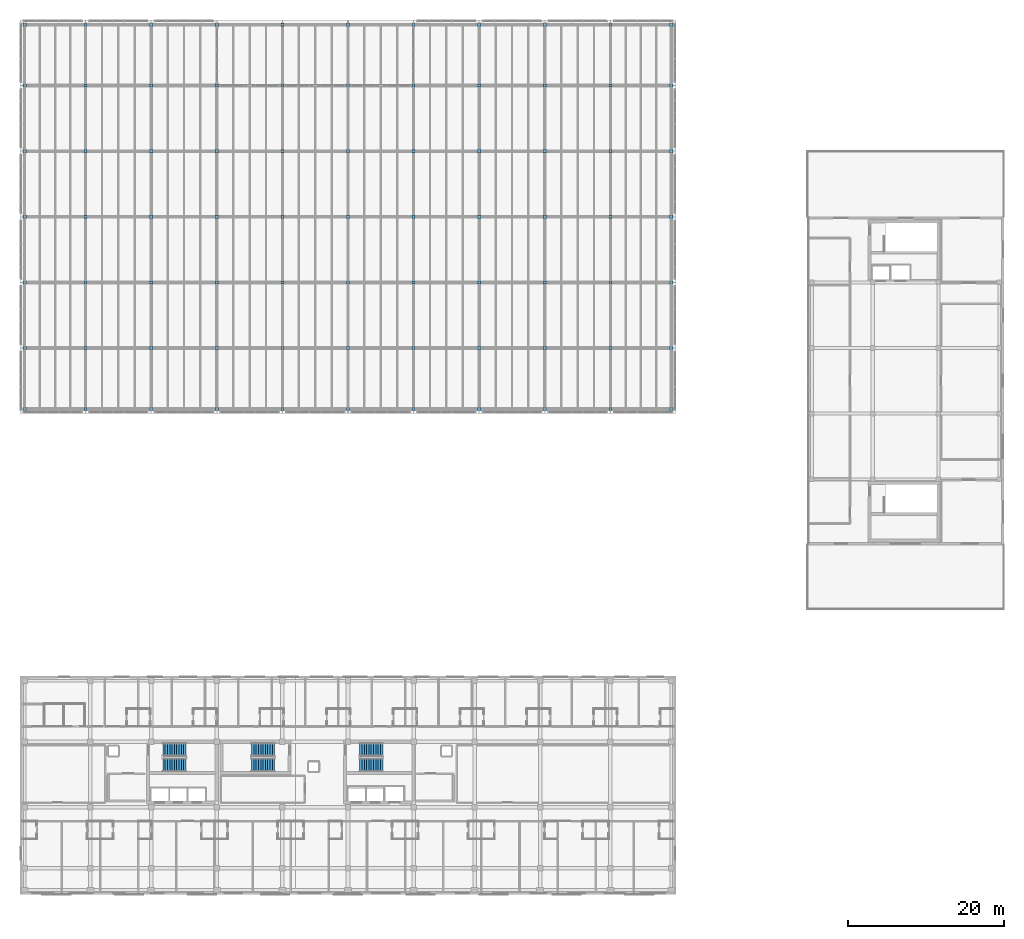
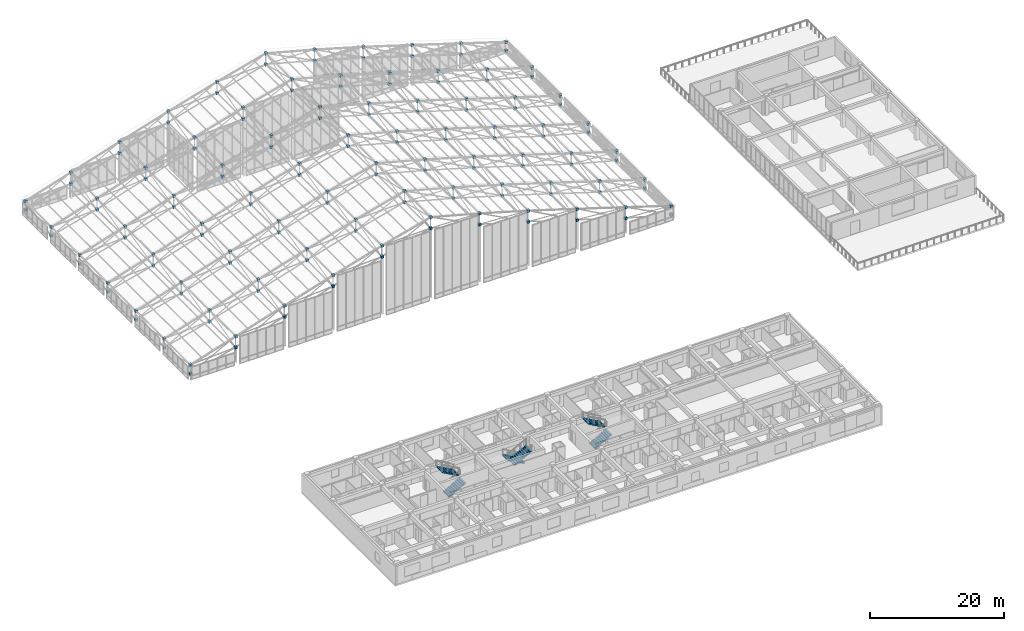
# One storey, part 141 of 144: 154 discrete accessories, 6 stair flights, 3 elements without a shape of their own.
"""IFC4 building model written with IfcOpenShell, lengths in metres."""

from ifc_helpers import new_model, si_unit, direction, frame, origin, origin_2d, place, context, subcontext, project, spatial, polyline, rectangle, outline, extrude, material, type_object, element, aggregate, save


model = new_model("IFC4")

# Units and contexts
model_context = context("Model", 3, precision=1e-05, world=origin(), true_north=direction((0.0, 1.0)))
body_context = subcontext(model_context, "Body", "Model", "MODEL_VIEW")
ifc_project = project(units=[si_unit("LENGTHUNIT", "METRE"), si_unit("AREAUNIT", "SQUARE_METRE"), si_unit("VOLUMEUNIT", "CUBIC_METRE"), si_unit("PLANEANGLEUNIT", "RADIAN"), si_unit("MASSUNIT", "GRAM", prefix="KILO")], contexts=[model_context])

# Site, building, storey
site_placement = place(None, origin())
site = spatial("IfcSite", under=ifc_project, at=site_placement, CompositionType="ELEMENT")
building_placement = place(site_placement, origin())
building = spatial("IfcBuilding", under=site, at=building_placement, Name="Zayran Congress Hotel", CompositionType="ELEMENT")
storey_placement = place(building_placement, frame((0.0, 0.0, 19.199951171875)))
storey = spatial("IfcBuildingStorey", under=building, at=storey_placement, Name="L04", CompositionType="ELEMENT", Elevation=19.199951171875)

# Stair, stair flights
ifc_material_1 = material(Name="Concrete C32/40", Category="concrete")
stair_type = type_object("IfcStairType", Name="TP-STR-1700-36", PredefinedType="USERDEFINED", material=ifc_material_1)
stair_1_placement = place(storey_placement, origin())
stair_1 = element("IfcStair", 1, at=stair_1_placement, inside=storey, type_object=stair_type, Name="L04 ST-01", ObjectType="TWO_RETURN_STAIR", PredefinedType="USERDEFINED")
stair_flight_type = type_object("IfcStairFlightType", Name="TP-STF-1700-36", PredefinedType="STRAIGHT", material=ifc_material_1)
stair_flight_1_placement = place(storey_placement, frame((26.699951171875, 22.610107421875, 0.0), z_axis=(0.0, 0.0, 1.0), x_axis=(1.0, 0.0, 0.0)))
stair_flight_1 = element("IfcStairFlight", 2, at=stair_flight_1_placement, type_object=stair_flight_type, Name="ST-01 flight 1", NumberOfRisers=11, NumberOfTreads=10, PredefinedType="STRAIGHT", RiserHeight=0.1636363636363637, TreadLength=0.295, context=body_context, shape_type="SweptSolid", body=[
    extrude(outline(polyline([(0.0, 0.0), (0.0, 0.16357421875), (0.294921875, 0.16357421875), (0.294921875, 0.327392578125), (0.590087890625, 0.327392578125), (0.590087890625, 0.490966796875), (0.885009765625, 0.490966796875), (0.885009765625, 0.654541015625), (1.179931640625, 0.654541015625), (1.179931640625, 0.818115234375), (1.47509765625, 0.818115234375), (1.47509765625, 0.98193359375), (1.77001953125, 0.98193359375), (1.77001953125, 1.1455078125), (2.06494140625, 1.1455078125), (2.06494140625, 1.30908203125), (2.360107421875, 1.30908203125), (2.360107421875, 1.47265625), (2.655029296875, 1.47265625), (2.655029296875, 1.636474609375), (2.949951171875, 1.636474609375), (2.949951171875, 1.800048828125), (2.949951171875, 1.46484375), (0.30908203125, 0.0), (0.0, 0.0)])), frame((0.0, 0.85009765625, 0.0), z_axis=(0.0, -1.0, 0.0), x_axis=(1.0, 0.0, 0.0)), (0.0, 0.0, 1.0), 1.699951171875),
])
stair_flight_2_placement = place(storey_placement, frame((29.64990234375, 24.550048828125, 1.800048828125), z_axis=(0.0, 0.0, 1.0), x_axis=(-1.0, 0.0, 0.0)))
stair_flight_2 = element("IfcStairFlight", 3, at=stair_flight_2_placement, type_object=stair_flight_type, Name="ST-01 flight 2", NumberOfRisers=11, NumberOfTreads=10, PredefinedType="STRAIGHT", RiserHeight=0.1636363636363637, TreadLength=0.295, context=body_context, shape_type="SweptSolid", body=[
    extrude(outline(polyline([(0.0, 0.0), (0.0, 0.16357421875), (0.294921875, 0.16357421875), (0.294921875, 0.327392578125), (0.590087890625, 0.327392578125), (0.590087890625, 0.490966796875), (0.885009765625, 0.490966796875), (0.885009765625, 0.654541015625), (1.179931640625, 0.654541015625), (1.179931640625, 0.818115234375), (1.47509765625, 0.818115234375), (1.47509765625, 0.98193359375), (1.77001953125, 0.98193359375), (1.77001953125, 1.1455078125), (2.06494140625, 1.1455078125), (2.06494140625, 1.30908203125), (2.360107421875, 1.30908203125), (2.360107421875, 1.47265625), (2.655029296875, 1.47265625), (2.655029296875, 1.636474609375), (2.949951171875, 1.636474609375), (2.949951171875, 1.800048828125), (2.949951171875, 1.46484375), (0.30908203125, 0.0), (0.0, 0.0)])), frame((0.0, 0.85009765625, 0.0), z_axis=(0.0, -1.0, 0.0), x_axis=(1.0, 0.0, 0.0)), (0.0, 0.0, 1.0), 1.699951171875),
])
aggregate(stair_1, [stair_flight_1, stair_flight_2])

stair_2_placement = place(storey_placement, origin())
stair_2 = element("IfcStair", 4, at=stair_2_placement, inside=storey, type_object=stair_type, Name="L04 ST-02", ObjectType="TWO_RETURN_STAIR", PredefinedType="USERDEFINED")
stair_flight_3_placement = place(storey_placement, frame((51.89990234375, 22.610107421875, 0.0), z_axis=(0.0, 0.0, 1.0), x_axis=(1.0, 0.0, 0.0)))
stair_flight_3 = element("IfcStairFlight", 5, at=stair_flight_3_placement, type_object=stair_flight_type, Name="ST-02 flight 1", NumberOfRisers=11, NumberOfTreads=10, PredefinedType="STRAIGHT", RiserHeight=0.1636363636363637, TreadLength=0.295, context=body_context, shape_type="SweptSolid", body=[
    extrude(outline(polyline([(0.0, 0.0), (0.0, 0.16357421875), (0.294921875, 0.16357421875), (0.294921875, 0.327392578125), (0.590087890625, 0.327392578125), (0.590087890625, 0.490966796875), (0.885009765625, 0.490966796875), (0.885009765625, 0.654541015625), (1.179931640625, 0.654541015625), (1.179931640625, 0.818115234375), (1.47509765625, 0.818115234375), (1.47509765625, 0.98193359375), (1.77001953125, 0.98193359375), (1.77001953125, 1.1455078125), (2.06494140625, 1.1455078125), (2.06494140625, 1.30908203125), (2.360107421875, 1.30908203125), (2.360107421875, 1.47265625), (2.655029296875, 1.47265625), (2.655029296875, 1.636474609375), (2.949951171875, 1.636474609375), (2.949951171875, 1.800048828125), (2.949951171875, 1.46484375), (0.30908203125, 0.0), (0.0, 0.0)])), frame((0.0, 0.85009765625, 0.0), z_axis=(0.0, -1.0, 0.0), x_axis=(1.0, 0.0, 0.0)), (0.0, 0.0, 1.0), 1.699951171875),
])
stair_flight_4_placement = place(storey_placement, frame((54.85009765625, 24.550048828125, 1.800048828125), z_axis=(0.0, 0.0, 1.0), x_axis=(-1.0, 0.0, 0.0)))
stair_flight_4 = element("IfcStairFlight", 6, at=stair_flight_4_placement, type_object=stair_flight_type, Name="ST-02 flight 2", NumberOfRisers=11, NumberOfTreads=10, PredefinedType="STRAIGHT", RiserHeight=0.1636363636363637, TreadLength=0.295, context=body_context, shape_type="SweptSolid", body=[
    extrude(outline(polyline([(0.0, 0.0), (0.0, 0.16357421875), (0.294921875, 0.16357421875), (0.294921875, 0.327392578125), (0.590087890625, 0.327392578125), (0.590087890625, 0.490966796875), (0.885009765625, 0.490966796875), (0.885009765625, 0.654541015625), (1.179931640625, 0.654541015625), (1.179931640625, 0.818115234375), (1.47509765625, 0.818115234375), (1.47509765625, 0.98193359375), (1.77001953125, 0.98193359375), (1.77001953125, 1.1455078125), (2.06494140625, 1.1455078125), (2.06494140625, 1.30908203125), (2.360107421875, 1.30908203125), (2.360107421875, 1.47265625), (2.655029296875, 1.47265625), (2.655029296875, 1.636474609375), (2.949951171875, 1.636474609375), (2.949951171875, 1.800048828125), (2.949951171875, 1.46484375), (0.30908203125, 0.0), (0.0, 0.0)])), frame((0.0, 0.85009765625, 0.0), z_axis=(0.0, -1.0, 0.0), x_axis=(1.0, 0.0, 0.0)), (0.0, 0.0, 1.0), 1.699951171875),
])
aggregate(stair_2, [stair_flight_3, stair_flight_4])

stair_3_placement = place(storey_placement, origin())
stair_3 = element("IfcStair", 7, at=stair_3_placement, inside=storey, type_object=stair_type, Name="L04 ST-13", ObjectType="TWO_RETURN_STAIR", PredefinedType="USERDEFINED")
stair_flight_5_placement = place(storey_placement, frame((41.0, 24.550048828125, 0.0), z_axis=(0.0, 0.0, 1.0), x_axis=(-1.0, 0.0, 0.0)))
stair_flight_5 = element("IfcStairFlight", 8, at=stair_flight_5_placement, type_object=stair_flight_type, Name="ST-13 flight 1", NumberOfRisers=11, NumberOfTreads=10, PredefinedType="STRAIGHT", RiserHeight=0.1636363636363637, TreadLength=0.295, context=body_context, shape_type="SweptSolid", body=[
    extrude(outline(polyline([(0.0, 0.0), (0.0, 0.16357421875), (0.294921875, 0.16357421875), (0.294921875, 0.327392578125), (0.590087890625, 0.327392578125), (0.590087890625, 0.490966796875), (0.885009765625, 0.490966796875), (0.885009765625, 0.654541015625), (1.179931640625, 0.654541015625), (1.179931640625, 0.818115234375), (1.47509765625, 0.818115234375), (1.47509765625, 0.98193359375), (1.77001953125, 0.98193359375), (1.77001953125, 1.1455078125), (2.06494140625, 1.1455078125), (2.06494140625, 1.30908203125), (2.360107421875, 1.30908203125), (2.360107421875, 1.47265625), (2.655029296875, 1.47265625), (2.655029296875, 1.636474609375), (2.949951171875, 1.636474609375), (2.949951171875, 1.800048828125), (2.949951171875, 1.46484375), (0.30908203125, 0.0), (0.0, 0.0)])), frame((0.0, 0.85009765625, 0.0), z_axis=(0.0, -1.0, 0.0), x_axis=(1.0, 0.0, 0.0)), (0.0, 0.0, 1.0), 1.699951171875),
])
stair_flight_6_placement = place(storey_placement, frame((38.050048828125, 22.610107421875, 1.800048828125), z_axis=(0.0, 0.0, 1.0), x_axis=(1.0, 0.0, 0.0)))
stair_flight_6 = element("IfcStairFlight", 9, at=stair_flight_6_placement, type_object=stair_flight_type, Name="ST-13 flight 2", NumberOfRisers=11, NumberOfTreads=10, PredefinedType="STRAIGHT", RiserHeight=0.1636363636363637, TreadLength=0.295, context=body_context, shape_type="SweptSolid", body=[
    extrude(outline(polyline([(0.0, 0.0), (0.0, 0.16357421875), (0.294921875, 0.16357421875), (0.294921875, 0.327392578125), (0.590087890625, 0.327392578125), (0.590087890625, 0.490966796875), (0.885009765625, 0.490966796875), (0.885009765625, 0.654541015625), (1.179931640625, 0.654541015625), (1.179931640625, 0.818115234375), (1.47509765625, 0.818115234375), (1.47509765625, 0.98193359375), (1.77001953125, 0.98193359375), (1.77001953125, 1.1455078125), (2.06494140625, 1.1455078125), (2.06494140625, 1.30908203125), (2.360107421875, 1.30908203125), (2.360107421875, 1.47265625), (2.655029296875, 1.47265625), (2.655029296875, 1.636474609375), (2.949951171875, 1.636474609375), (2.949951171875, 1.800048828125), (2.949951171875, 1.46484375), (0.30908203125, 0.0), (0.0, 0.0)])), frame((0.0, 0.85009765625, 0.0), z_axis=(0.0, -1.0, 0.0), x_axis=(1.0, 0.0, 0.0)), (0.0, 0.0, 1.0), 1.699951171875),
])
aggregate(stair_3, [stair_flight_5, stair_flight_6])

# Discrete accessories
ifc_material_2 = material(Name="Steel S355", Category="steel")
discrete_accessory_type = type_object("IfcDiscreteAccessoryType", Name="TP-SN-NODE", PredefinedType="BRACKET", material=ifc_material_2)
for number, where, z_axis, x_axis, name in (
    (10, (9.0, 68.199951171875, 1.9814453125), (0.0, 0.0, 1.0), (1.0, 0.0, 0.0), "MERO Spherical Node TOP 0-0"),
    (11, (9.0, 76.0, 1.9814453125), (0.0, 0.0, 1.0), (1.0, 0.0, 0.0), "MERO Spherical Node TOP 0-1"),
    (12, (9.0, 84.39990234375, 1.9814453125), (0.0, 0.0, 1.0), (1.0, 0.0, 0.0), "MERO Spherical Node TOP 0-2"),
    (13, (9.0, 92.800048828125, 1.9814453125), (0.0, 0.0, 1.0), (1.0, 0.0, 0.0), "MERO Spherical Node TOP 0-3"),
    (14, (9.0, 101.199951171875, 1.9814453125), (0.0, 0.0, 1.0), (1.0, 0.0, 0.0), "MERO Spherical Node TOP 0-4"),
    (15, (9.0, 109.60009765625, 1.9814453125), (0.0, 0.0, 1.0), (1.0, 0.0, 0.0), "MERO Spherical Node TOP 0-5"),
    (16, (9.0, 117.39990234375, 1.9814453125), (0.0, 0.0, 1.0), (1.0, 0.0, 0.0), "MERO Spherical Node TOP 0-6"),
    (17, (16.800048828125, 68.199951171875, 4.442138671875), (0.0, 0.0, 1.0), (1.0, 0.0, 0.0), "MERO Spherical Node TOP 1-0"),
    (18, (16.800048828125, 76.0, 4.442138671875), (0.0, 0.0, 1.0), (1.0, 0.0, 0.0), "MERO Spherical Node TOP 1-1"),
    (19, (16.800048828125, 84.39990234375, 4.442138671875), (0.0, 0.0, 1.0), (1.0, 0.0, 0.0), "MERO Spherical Node TOP 1-2"),
    (20, (16.800048828125, 92.800048828125, 4.442138671875), (0.0, 0.0, 1.0), (1.0, 0.0, 0.0), "MERO Spherical Node TOP 1-3"),
    (21, (16.800048828125, 101.199951171875, 4.442138671875), (0.0, 0.0, 1.0), (1.0, 0.0, 0.0), "MERO Spherical Node TOP 1-4"),
    (22, (16.800048828125, 109.60009765625, 4.442138671875), (0.0, 0.0, 1.0), (1.0, 0.0, 0.0), "MERO Spherical Node TOP 1-5"),
    (23, (16.800048828125, 117.39990234375, 4.442138671875), (0.0, 0.0, 1.0), (1.0, 0.0, 0.0), "MERO Spherical Node TOP 1-6"),
    (24, (25.199951171875, 68.199951171875, 7.092041015625), (0.0, 0.0, 1.0), (1.0, 0.0, 0.0), "MERO Spherical Node TOP 2-0"),
    (25, (25.199951171875, 76.0, 7.092041015625), (0.0, 0.0, 1.0), (1.0, 0.0, 0.0), "MERO Spherical Node TOP 2-1"),
    (26, (25.199951171875, 84.39990234375, 7.092041015625), (0.0, 0.0, 1.0), (1.0, 0.0, 0.0), "MERO Spherical Node TOP 2-2"),
    (27, (25.199951171875, 92.800048828125, 7.092041015625), (0.0, 0.0, 1.0), (1.0, 0.0, 0.0), "MERO Spherical Node TOP 2-3"),
    (28, (25.199951171875, 101.199951171875, 7.092041015625), (0.0, 0.0, 1.0), (1.0, 0.0, 0.0), "MERO Spherical Node TOP 2-4"),
    (29, (25.199951171875, 109.60009765625, 7.092041015625), (0.0, 0.0, 1.0), (1.0, 0.0, 0.0), "MERO Spherical Node TOP 2-5"),
    (30, (25.199951171875, 117.39990234375, 7.092041015625), (0.0, 0.0, 1.0), (1.0, 0.0, 0.0), "MERO Spherical Node TOP 2-6"),
    (31, (33.60009765625, 68.199951171875, 9.692138671875), (0.0, 0.0, 1.0), (1.0, 0.0, 0.0), "MERO Spherical Node TOP 3-0"),
    (32, (33.60009765625, 76.0, 9.692138671875), (0.0, 0.0, 1.0), (1.0, 0.0, 0.0), "MERO Spherical Node TOP 3-1"),
    (33, (33.60009765625, 84.39990234375, 9.692138671875), (0.0, 0.0, 1.0), (1.0, 0.0, 0.0), "MERO Spherical Node TOP 3-2"),
    (34, (33.60009765625, 92.800048828125, 9.692138671875), (0.0, 0.0, 1.0), (1.0, 0.0, 0.0), "MERO Spherical Node TOP 3-3"),
    (35, (33.60009765625, 101.199951171875, 9.692138671875), (0.0, 0.0, 1.0), (1.0, 0.0, 0.0), "MERO Spherical Node TOP 3-4"),
    (36, (33.60009765625, 109.60009765625, 9.692138671875), (0.0, 0.0, 1.0), (1.0, 0.0, 0.0), "MERO Spherical Node TOP 3-5"),
    (37, (33.60009765625, 117.39990234375, 9.692138671875), (0.0, 0.0, 1.0), (1.0, 0.0, 0.0), "MERO Spherical Node TOP 3-6"),
    (38, (42.0, 68.199951171875, 12.14208984375), (0.0, 0.0, 1.0), (1.0, 0.0, 0.0), "MERO Spherical Node TOP 4-0"),
    (39, (42.0, 76.0, 12.14208984375), (0.0, 0.0, 1.0), (1.0, 0.0, 0.0), "MERO Spherical Node TOP 4-1"),
    (40, (42.0, 84.39990234375, 12.14208984375), (0.0, 0.0, 1.0), (1.0, 0.0, 0.0), "MERO Spherical Node TOP 4-2"),
    (41, (42.0, 92.800048828125, 12.14208984375), (0.0, 0.0, 1.0), (1.0, 0.0, 0.0), "MERO Spherical Node TOP 4-3"),
    (42, (42.0, 101.199951171875, 12.14208984375), (0.0, 0.0, 1.0), (1.0, 0.0, 0.0), "MERO Spherical Node TOP 4-4"),
    (43, (42.0, 109.60009765625, 12.14208984375), (0.0, 0.0, 1.0), (1.0, 0.0, 0.0), "MERO Spherical Node TOP 4-5"),
    (44, (42.0, 117.39990234375, 12.14208984375), (0.0, 0.0, 1.0), (1.0, 0.0, 0.0), "MERO Spherical Node TOP 4-6"),
    (45, (50.39990234375, 68.199951171875, 14.39208984375), (0.0, 0.0, 1.0), (1.0, 0.0, 0.0), "MERO Spherical Node TOP 5-0"),
    (46, (50.39990234375, 76.0, 14.39208984375), (0.0, 0.0, 1.0), (1.0, 0.0, 0.0), "MERO Spherical Node TOP 5-1"),
    (47, (50.39990234375, 84.39990234375, 14.39208984375), (0.0, 0.0, 1.0), (1.0, 0.0, 0.0), "MERO Spherical Node TOP 5-2"),
    (48, (50.39990234375, 92.800048828125, 14.39208984375), (0.0, 0.0, 1.0), (1.0, 0.0, 0.0), "MERO Spherical Node TOP 5-3"),
    (49, (50.39990234375, 101.199951171875, 14.39208984375), (0.0, 0.0, 1.0), (1.0, 0.0, 0.0), "MERO Spherical Node TOP 5-4"),
    (50, (50.39990234375, 109.60009765625, 14.39208984375), (0.0, 0.0, 1.0), (1.0, 0.0, 0.0), "MERO Spherical Node TOP 5-5"),
    (51, (50.39990234375, 117.39990234375, 14.39208984375), (0.0, 0.0, 1.0), (1.0, 0.0, 0.0), "MERO Spherical Node TOP 5-6"),
    (52, (58.800048828125, 68.199951171875, 12.14208984375), (0.0, 0.0, 1.0), (1.0, 0.0, 0.0), "MERO Spherical Node TOP 6-0"),
    (53, (58.800048828125, 76.0, 12.14208984375), (0.0, 0.0, 1.0), (1.0, 0.0, 0.0), "MERO Spherical Node TOP 6-1"),
    (54, (58.800048828125, 84.39990234375, 12.14208984375), (0.0, 0.0, 1.0), (1.0, 0.0, 0.0), "MERO Spherical Node TOP 6-2"),
    (55, (58.800048828125, 92.800048828125, 12.14208984375), (0.0, 0.0, 1.0), (1.0, 0.0, 0.0), "MERO Spherical Node TOP 6-3"),
    (56, (58.800048828125, 101.199951171875, 12.14208984375), (0.0, 0.0, 1.0), (1.0, 0.0, 0.0), "MERO Spherical Node TOP 6-4"),
    (57, (58.800048828125, 109.60009765625, 12.14208984375), (0.0, 0.0, 1.0), (1.0, 0.0, 0.0), "MERO Spherical Node TOP 6-5"),
    (58, (58.800048828125, 117.39990234375, 12.14208984375), (0.0, 0.0, 1.0), (1.0, 0.0, 0.0), "MERO Spherical Node TOP 6-6"),
    (59, (67.199951171875, 68.199951171875, 9.692138671875), (0.0, 0.0, 1.0), (1.0, 0.0, 0.0), "MERO Spherical Node TOP 7-0"),
    (60, (67.199951171875, 76.0, 9.692138671875), (0.0, 0.0, 1.0), (1.0, 0.0, 0.0), "MERO Spherical Node TOP 7-1"),
    (61, (67.199951171875, 84.39990234375, 9.692138671875), (0.0, 0.0, 1.0), (1.0, 0.0, 0.0), "MERO Spherical Node TOP 7-2"),
    (62, (67.199951171875, 92.800048828125, 9.692138671875), (0.0, 0.0, 1.0), (1.0, 0.0, 0.0), "MERO Spherical Node TOP 7-3"),
    (63, (67.199951171875, 101.199951171875, 9.692138671875), (0.0, 0.0, 1.0), (1.0, 0.0, 0.0), "MERO Spherical Node TOP 7-4"),
    (64, (67.199951171875, 109.60009765625, 9.692138671875), (0.0, 0.0, 1.0), (1.0, 0.0, 0.0), "MERO Spherical Node TOP 7-5"),
    (65, (67.199951171875, 117.39990234375, 9.692138671875), (0.0, 0.0, 1.0), (1.0, 0.0, 0.0), "MERO Spherical Node TOP 7-6"),
    (66, (75.60009765625, 68.199951171875, 7.092041015625), (0.0, 0.0, 1.0), (1.0, 0.0, 0.0), "MERO Spherical Node TOP 8-0"),
    (67, (75.60009765625, 76.0, 7.092041015625), (0.0, 0.0, 1.0), (1.0, 0.0, 0.0), "MERO Spherical Node TOP 8-1"),
    (68, (75.60009765625, 84.39990234375, 7.092041015625), (0.0, 0.0, 1.0), (1.0, 0.0, 0.0), "MERO Spherical Node TOP 8-2"),
    (69, (75.60009765625, 92.800048828125, 7.092041015625), (0.0, 0.0, 1.0), (1.0, 0.0, 0.0), "MERO Spherical Node TOP 8-3"),
    (70, (75.60009765625, 101.199951171875, 7.092041015625), (0.0, 0.0, 1.0), (1.0, 0.0, 0.0), "MERO Spherical Node TOP 8-4"),
    (71, (75.60009765625, 109.60009765625, 7.092041015625), (0.0, 0.0, 1.0), (1.0, 0.0, 0.0), "MERO Spherical Node TOP 8-5"),
    (72, (75.60009765625, 117.39990234375, 7.092041015625), (0.0, 0.0, 1.0), (1.0, 0.0, 0.0), "MERO Spherical Node TOP 8-6"),
    (73, (84.0, 68.199951171875, 4.442138671875), (0.0, 0.0, 1.0), (1.0, 0.0, 0.0), "MERO Spherical Node TOP 9-0"),
    (74, (84.0, 76.0, 4.442138671875), (0.0, 0.0, 1.0), (1.0, 0.0, 0.0), "MERO Spherical Node TOP 9-1"),
    (75, (84.0, 84.39990234375, 4.442138671875), (0.0, 0.0, 1.0), (1.0, 0.0, 0.0), "MERO Spherical Node TOP 9-2"),
    (76, (84.0, 92.800048828125, 4.442138671875), (0.0, 0.0, 1.0), (1.0, 0.0, 0.0), "MERO Spherical Node TOP 9-3"),
    (77, (84.0, 101.199951171875, 4.442138671875), (0.0, 0.0, 1.0), (1.0, 0.0, 0.0), "MERO Spherical Node TOP 9-4"),
    (78, (84.0, 109.60009765625, 4.442138671875), (0.0, 0.0, 1.0), (1.0, 0.0, 0.0), "MERO Spherical Node TOP 9-5"),
    (79, (84.0, 117.39990234375, 4.442138671875), (0.0, 0.0, 1.0), (1.0, 0.0, 0.0), "MERO Spherical Node TOP 9-6"),
    (80, (91.800048828125, 68.199951171875, 1.9814453125), (0.0, 0.0, 1.0), (1.0, 0.0, 0.0), "MERO Spherical Node TOP 10-0"),
    (81, (91.800048828125, 76.0, 1.9814453125), (0.0, 0.0, 1.0), (1.0, 0.0, 0.0), "MERO Spherical Node TOP 10-1"),
    (82, (91.800048828125, 84.39990234375, 1.9814453125), (0.0, 0.0, 1.0), (1.0, 0.0, 0.0), "MERO Spherical Node TOP 10-2"),
    (83, (91.800048828125, 92.800048828125, 1.9814453125), (0.0, 0.0, 1.0), (1.0, 0.0, 0.0), "MERO Spherical Node TOP 10-3"),
    (84, (91.800048828125, 101.199951171875, 1.9814453125), (0.0, 0.0, 1.0), (1.0, 0.0, 0.0), "MERO Spherical Node TOP 10-4"),
    (85, (91.800048828125, 109.60009765625, 1.9814453125), (0.0, 0.0, 1.0), (1.0, 0.0, 0.0), "MERO Spherical Node TOP 10-5"),
    (86, (91.800048828125, 117.39990234375, 1.9814453125), (0.0, 0.0, 1.0), (1.0, 0.0, 0.0), "MERO Spherical Node TOP 10-6"),
    (87, (9.0, 68.199951171875, 0.39013671875), (0.0, 0.0, 1.0), (1.0, 0.0, 0.0), "MERO Spherical Node BOT 0-0"),
    (88, (9.0, 76.0, 0.39013671875), (0.0, 0.0, 1.0), (1.0, 0.0, 0.0), "MERO Spherical Node BOT 0-1"),
    (89, (9.0, 84.39990234375, 0.39013671875), (0.0, 0.0, 1.0), (1.0, 0.0, 0.0), "MERO Spherical Node BOT 0-2"),
    (90, (9.0, 92.800048828125, 0.39013671875), (0.0, 0.0, 1.0), (1.0, 0.0, 0.0), "MERO Spherical Node BOT 0-3"),
    (91, (9.0, 101.199951171875, 0.39013671875), (0.0, 0.0, 1.0), (1.0, 0.0, 0.0), "MERO Spherical Node BOT 0-4"),
    (92, (9.0, 109.60009765625, 0.39013671875), (0.0, 0.0, 1.0), (1.0, 0.0, 0.0), "MERO Spherical Node BOT 0-5"),
    (93, (9.0, 117.39990234375, 0.39013671875), (0.0, 0.0, 1.0), (1.0, 0.0, 0.0), "MERO Spherical Node BOT 0-6"),
    (94, (16.800048828125, 68.199951171875, 2.440185546875), (0.0, 0.0, 1.0), (1.0, 0.0, 0.0), "MERO Spherical Node BOT 1-0"),
    (95, (16.800048828125, 76.0, 2.440185546875), (0.0, 0.0, 1.0), (1.0, 0.0, 0.0), "MERO Spherical Node BOT 1-1"),
    (96, (16.800048828125, 84.39990234375, 2.440185546875), (0.0, 0.0, 1.0), (1.0, 0.0, 0.0), "MERO Spherical Node BOT 1-2"),
    (97, (16.800048828125, 92.800048828125, 2.440185546875), (0.0, 0.0, 1.0), (1.0, 0.0, 0.0), "MERO Spherical Node BOT 1-3"),
    (98, (16.800048828125, 101.199951171875, 2.440185546875), (0.0, 0.0, 1.0), (1.0, 0.0, 0.0), "MERO Spherical Node BOT 1-4"),
    (99, (16.800048828125, 109.60009765625, 2.440185546875), (0.0, 0.0, 1.0), (1.0, 0.0, 0.0), "MERO Spherical Node BOT 1-5"),
    (100, (16.800048828125, 117.39990234375, 2.440185546875), (0.0, 0.0, 1.0), (1.0, 0.0, 0.0), "MERO Spherical Node BOT 1-6"),
    (101, (25.199951171875, 68.199951171875, 5.090087890625), (0.0, 0.0, 1.0), (1.0, 0.0, 0.0), "MERO Spherical Node BOT 2-0"),
    (102, (25.199951171875, 76.0, 5.090087890625), (0.0, 0.0, 1.0), (1.0, 0.0, 0.0), "MERO Spherical Node BOT 2-1"),
    (103, (25.199951171875, 84.39990234375, 5.090087890625), (0.0, 0.0, 1.0), (1.0, 0.0, 0.0), "MERO Spherical Node BOT 2-2"),
    (104, (25.199951171875, 92.800048828125, 5.090087890625), (0.0, 0.0, 1.0), (1.0, 0.0, 0.0), "MERO Spherical Node BOT 2-3"),
    (105, (25.199951171875, 101.199951171875, 5.090087890625), (0.0, 0.0, 1.0), (1.0, 0.0, 0.0), "MERO Spherical Node BOT 2-4"),
    (106, (25.199951171875, 109.60009765625, 5.090087890625), (0.0, 0.0, 1.0), (1.0, 0.0, 0.0), "MERO Spherical Node BOT 2-5"),
    (107, (25.199951171875, 117.39990234375, 5.090087890625), (0.0, 0.0, 1.0), (1.0, 0.0, 0.0), "MERO Spherical Node BOT 2-6"),
    (108, (33.60009765625, 68.199951171875, 7.690185546875), (0.0, 0.0, 1.0), (1.0, 0.0, 0.0), "MERO Spherical Node BOT 3-0"),
    (109, (33.60009765625, 76.0, 7.690185546875), (0.0, 0.0, 1.0), (1.0, 0.0, 0.0), "MERO Spherical Node BOT 3-1"),
    (110, (33.60009765625, 84.39990234375, 7.690185546875), (0.0, 0.0, 1.0), (1.0, 0.0, 0.0), "MERO Spherical Node BOT 3-2"),
    (111, (33.60009765625, 92.800048828125, 7.690185546875), (0.0, 0.0, 1.0), (1.0, 0.0, 0.0), "MERO Spherical Node BOT 3-3"),
    (112, (33.60009765625, 101.199951171875, 7.690185546875), (0.0, 0.0, 1.0), (1.0, 0.0, 0.0), "MERO Spherical Node BOT 3-4"),
    (113, (33.60009765625, 109.60009765625, 7.690185546875), (0.0, 0.0, 1.0), (1.0, 0.0, 0.0), "MERO Spherical Node BOT 3-5"),
    (114, (33.60009765625, 117.39990234375, 7.690185546875), (0.0, 0.0, 1.0), (1.0, 0.0, 0.0), "MERO Spherical Node BOT 3-6"),
    (115, (42.0, 68.199951171875, 10.14013671875), (0.0, 0.0, 1.0), (1.0, 0.0, 0.0), "MERO Spherical Node BOT 4-0"),
    (116, (42.0, 76.0, 10.14013671875), (0.0, 0.0, 1.0), (1.0, 0.0, 0.0), "MERO Spherical Node BOT 4-1"),
    (117, (42.0, 84.39990234375, 10.14013671875), (0.0, 0.0, 1.0), (1.0, 0.0, 0.0), "MERO Spherical Node BOT 4-2"),
    (118, (42.0, 92.800048828125, 10.14013671875), (0.0, 0.0, 1.0), (1.0, 0.0, 0.0), "MERO Spherical Node BOT 4-3"),
    (119, (42.0, 101.199951171875, 10.14013671875), (0.0, 0.0, 1.0), (1.0, 0.0, 0.0), "MERO Spherical Node BOT 4-4"),
    (120, (42.0, 109.60009765625, 10.14013671875), (0.0, 0.0, 1.0), (1.0, 0.0, 0.0), "MERO Spherical Node BOT 4-5"),
    (121, (42.0, 117.39990234375, 10.14013671875), (0.0, 0.0, 1.0), (1.0, 0.0, 0.0), "MERO Spherical Node BOT 4-6"),
    (122, (50.39990234375, 68.199951171875, 12.39013671875), (0.0, 0.0, 1.0), (1.0, 0.0, 0.0), "MERO Spherical Node BOT 5-0"),
    (123, (50.39990234375, 76.0, 12.39013671875), (0.0, 0.0, 1.0), (1.0, 0.0, 0.0), "MERO Spherical Node BOT 5-1"),
    (124, (50.39990234375, 84.39990234375, 12.39013671875), (0.0, 0.0, 1.0), (1.0, 0.0, 0.0), "MERO Spherical Node BOT 5-2"),
    (125, (50.39990234375, 92.800048828125, 12.39013671875), (0.0, 0.0, 1.0), (1.0, 0.0, 0.0), "MERO Spherical Node BOT 5-3"),
    (126, (50.39990234375, 101.199951171875, 12.39013671875), (0.0, 0.0, 1.0), (1.0, 0.0, 0.0), "MERO Spherical Node BOT 5-4"),
    (127, (50.39990234375, 109.60009765625, 12.39013671875), (0.0, 0.0, 1.0), (1.0, 0.0, 0.0), "MERO Spherical Node BOT 5-5"),
    (128, (50.39990234375, 117.39990234375, 12.39013671875), (0.0, 0.0, 1.0), (1.0, 0.0, 0.0), "MERO Spherical Node BOT 5-6"),
    (129, (58.800048828125, 68.199951171875, 10.14013671875), (0.0, 0.0, 1.0), (1.0, 0.0, 0.0), "MERO Spherical Node BOT 6-0"),
    (130, (58.800048828125, 76.0, 10.14013671875), (0.0, 0.0, 1.0), (1.0, 0.0, 0.0), "MERO Spherical Node BOT 6-1"),
    (131, (58.800048828125, 84.39990234375, 10.14013671875), (0.0, 0.0, 1.0), (1.0, 0.0, 0.0), "MERO Spherical Node BOT 6-2"),
    (132, (58.800048828125, 92.800048828125, 10.14013671875), (0.0, 0.0, 1.0), (1.0, 0.0, 0.0), "MERO Spherical Node BOT 6-3"),
    (133, (58.800048828125, 101.199951171875, 10.14013671875), (0.0, 0.0, 1.0), (1.0, 0.0, 0.0), "MERO Spherical Node BOT 6-4"),
    (134, (58.800048828125, 109.60009765625, 10.14013671875), (0.0, 0.0, 1.0), (1.0, 0.0, 0.0), "MERO Spherical Node BOT 6-5"),
    (135, (58.800048828125, 117.39990234375, 10.14013671875), (0.0, 0.0, 1.0), (1.0, 0.0, 0.0), "MERO Spherical Node BOT 6-6"),
    (136, (67.199951171875, 68.199951171875, 7.690185546875), (0.0, 0.0, 1.0), (1.0, 0.0, 0.0), "MERO Spherical Node BOT 7-0"),
    (137, (67.199951171875, 76.0, 7.690185546875), (0.0, 0.0, 1.0), (1.0, 0.0, 0.0), "MERO Spherical Node BOT 7-1"),
    (138, (67.199951171875, 84.39990234375, 7.690185546875), (0.0, 0.0, 1.0), (1.0, 0.0, 0.0), "MERO Spherical Node BOT 7-2"),
    (139, (67.199951171875, 92.800048828125, 7.690185546875), (0.0, 0.0, 1.0), (1.0, 0.0, 0.0), "MERO Spherical Node BOT 7-3"),
    (140, (67.199951171875, 101.199951171875, 7.690185546875), (0.0, 0.0, 1.0), (1.0, 0.0, 0.0), "MERO Spherical Node BOT 7-4"),
    (141, (67.199951171875, 109.60009765625, 7.690185546875), (0.0, 0.0, 1.0), (1.0, 0.0, 0.0), "MERO Spherical Node BOT 7-5"),
    (142, (67.199951171875, 117.39990234375, 7.690185546875), (0.0, 0.0, 1.0), (1.0, 0.0, 0.0), "MERO Spherical Node BOT 7-6"),
    (143, (75.60009765625, 68.199951171875, 5.090087890625), (0.0, 0.0, 1.0), (1.0, 0.0, 0.0), "MERO Spherical Node BOT 8-0"),
    (144, (75.60009765625, 76.0, 5.090087890625), (0.0, 0.0, 1.0), (1.0, 0.0, 0.0), "MERO Spherical Node BOT 8-1"),
    (145, (75.60009765625, 84.39990234375, 5.090087890625), (0.0, 0.0, 1.0), (1.0, 0.0, 0.0), "MERO Spherical Node BOT 8-2"),
    (146, (75.60009765625, 92.800048828125, 5.090087890625), (0.0, 0.0, 1.0), (1.0, 0.0, 0.0), "MERO Spherical Node BOT 8-3"),
    (147, (75.60009765625, 101.199951171875, 5.090087890625), (0.0, 0.0, 1.0), (1.0, 0.0, 0.0), "MERO Spherical Node BOT 8-4"),
    (148, (75.60009765625, 109.60009765625, 5.090087890625), (0.0, 0.0, 1.0), (1.0, 0.0, 0.0), "MERO Spherical Node BOT 8-5"),
    (149, (75.60009765625, 117.39990234375, 5.090087890625), (0.0, 0.0, 1.0), (1.0, 0.0, 0.0), "MERO Spherical Node BOT 8-6"),
    (150, (84.0, 68.199951171875, 2.440185546875), (0.0, 0.0, 1.0), (1.0, 0.0, 0.0), "MERO Spherical Node BOT 9-0"),
    (151, (84.0, 76.0, 2.440185546875), (0.0, 0.0, 1.0), (1.0, 0.0, 0.0), "MERO Spherical Node BOT 9-1"),
    (152, (84.0, 84.39990234375, 2.440185546875), (0.0, 0.0, 1.0), (1.0, 0.0, 0.0), "MERO Spherical Node BOT 9-2"),
    (153, (84.0, 92.800048828125, 2.440185546875), (0.0, 0.0, 1.0), (1.0, 0.0, 0.0), "MERO Spherical Node BOT 9-3"),
    (154, (84.0, 101.199951171875, 2.440185546875), (0.0, 0.0, 1.0), (1.0, 0.0, 0.0), "MERO Spherical Node BOT 9-4"),
    (155, (84.0, 109.60009765625, 2.440185546875), (0.0, 0.0, 1.0), (1.0, 0.0, 0.0), "MERO Spherical Node BOT 9-5"),
    (156, (84.0, 117.39990234375, 2.440185546875), (0.0, 0.0, 1.0), (1.0, 0.0, 0.0), "MERO Spherical Node BOT 9-6"),
    (157, (91.800048828125, 68.199951171875, 0.39013671875), (0.0, 0.0, 1.0), (1.0, 0.0, 0.0), "MERO Spherical Node BOT 10-0"),
    (158, (91.800048828125, 76.0, 0.39013671875), (0.0, 0.0, 1.0), (1.0, 0.0, 0.0), "MERO Spherical Node BOT 10-1"),
    (159, (91.800048828125, 84.39990234375, 0.39013671875), (0.0, 0.0, 1.0), (1.0, 0.0, 0.0), "MERO Spherical Node BOT 10-2"),
    (160, (91.800048828125, 92.800048828125, 0.39013671875), (0.0, 0.0, 1.0), (1.0, 0.0, 0.0), "MERO Spherical Node BOT 10-3"),
    (161, (91.800048828125, 101.199951171875, 0.39013671875), (0.0, 0.0, 1.0), (1.0, 0.0, 0.0), "MERO Spherical Node BOT 10-4"),
    (162, (91.800048828125, 109.60009765625, 0.39013671875), (0.0, 0.0, 1.0), (1.0, 0.0, 0.0), "MERO Spherical Node BOT 10-5"),
    (163, (91.800048828125, 117.39990234375, 0.39013671875), (0.0, 0.0, 1.0), (1.0, 0.0, 0.0), "MERO Spherical Node BOT 10-6"),
):
    element("IfcDiscreteAccessory", number, at=place(storey_placement, frame(where, z_axis=z_axis, x_axis=x_axis)), inside=storey, type_object=discrete_accessory_type, Name=name, PredefinedType="BRACKET", context=body_context, shape_type="SweptSolid", body=[
        extrude(rectangle(XDim=0.419921875, YDim=0.419921875, at=origin_2d()), origin(), (0.0, 0.0, 1.0), 0.419921875),
    ])

save(model, "model.ifc")
